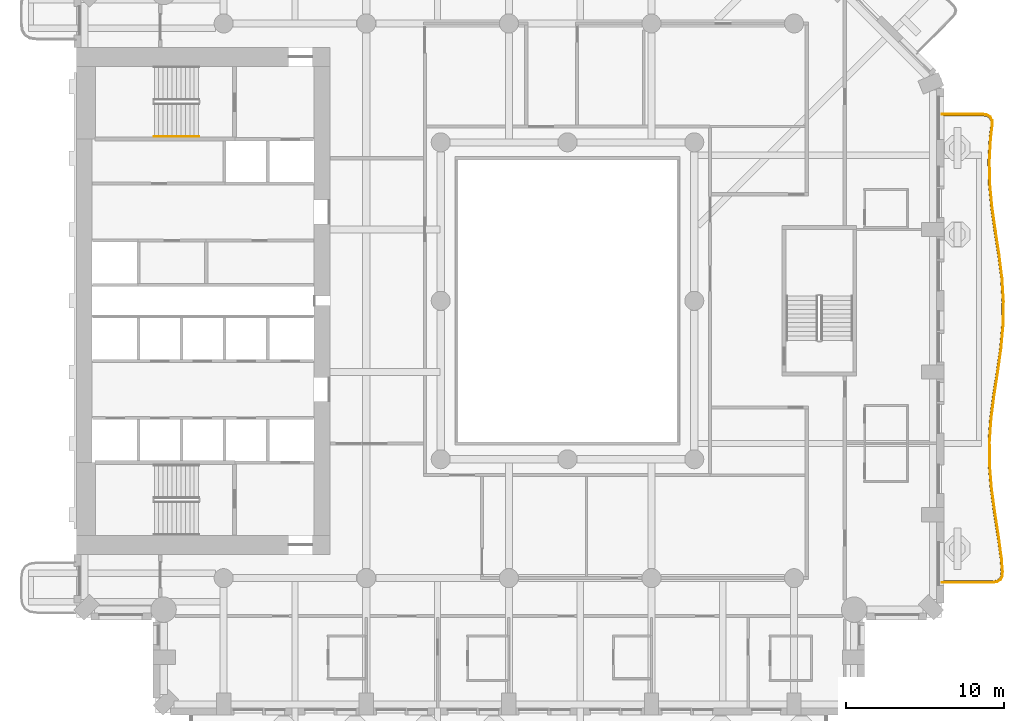
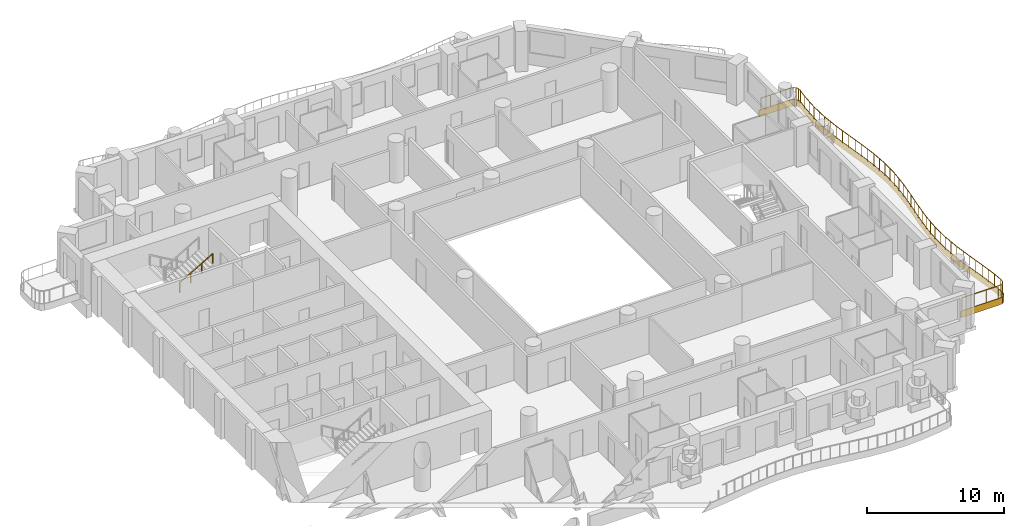
# One storey, part 15 of 19: 2 railings, 1 covering.
"""IFC4 building model written with IfcOpenShell, lengths in metres."""

from ifc_helpers import new_model, si_unit, direction, frame, origin, origin_2d, place, context, subcontext, project, spatial, polyline, rectangle, outline, extrude, material, layer, layer_set, type_object, element, save


model = new_model("IFC4")

# Units and contexts
model_context = context("Model", 3, precision=1e-05, world=origin(), true_north=direction((0.0, 1.0)))
body_context = subcontext(model_context, "Body", "Model", "MODEL_VIEW")
ifc_project = project(units=[si_unit("LENGTHUNIT", "METRE"), si_unit("AREAUNIT", "SQUARE_METRE"), si_unit("VOLUMEUNIT", "CUBIC_METRE"), si_unit("PLANEANGLEUNIT", "RADIAN"), si_unit("MASSUNIT", "GRAM", prefix="KILO")], contexts=[model_context])

# Site, building, storey
site_placement = place(None, origin())
site = spatial("IfcSite", under=ifc_project, at=site_placement, CompositionType="ELEMENT")
building_placement = place(site_placement, origin())
building = spatial("IfcBuilding", under=site, at=building_placement, Name="Cypress Arch Tower", CompositionType="ELEMENT")
storey_placement = place(building_placement, frame((0.0, 0.0, 98.699951171875)))
storey = spatial("IfcBuildingStorey", under=building, at=storey_placement, Name="L19", CompositionType="ELEMENT", Elevation=98.699951171875)

# Covering
ifc_material_1 = material(Name="White powder-coated aluminium fascia", Category="aluminium")
ifc_layer = layer(ifc_material_1, 0.050048828125)
ifc_layer_set = layer_set([ifc_layer], Name="Balcony fascia BF50")
covering_type = type_object("IfcCoveringType", Name="Balcony fascia BF50", PredefinedType="CLADDING", material=ifc_layer_set)
covering_placement = place(storey_placement, frame((0.0, 0.0, -0.599853515625)))
element("IfcCovering", 1, at=covering_placement, inside=storey, type_object=covering_type, Name="Balcony fascia L19-A06", PredefinedType="CLADDING", context=body_context, shape_type="SweptSolid", body=[
    extrude(outline(polyline([(27.19482421875, 11.800048828125), (27.496826171875, 11.75634765625), (27.711669921875, 11.61865234375), (27.8232421875, 11.388671875), (27.83056640625, 11.083984375), (27.7333984375, 10.270751953125), (27.652587890625, 8.79931640625), (27.687255859375, 7.327880859375), (27.828857421875, 5.85595703125), (28.040771484375, 4.38232421875), (28.26806640625, 2.906982421875), (28.451904296875, 1.4296875), (28.54443359375, -0.048828125), (28.521484375, -1.527587890625), (28.388916015625, -3.005615234375), (28.181396484375, -4.482421875), (27.952880859375, -5.95703125), (27.7626953125, -7.429931640625), (27.659912109375, -8.901611328125), (27.6708984375, -10.372802734375), (27.792724609375, -11.844482421875), (27.994384765625, -13.31787109375), (28.2236328125, -14.79296875), (28.420654296875, -16.269775390625), (28.483642578125, -17.0859375), (28.46337890625, -17.390380859375), (28.343505859375, -17.619140625), (28.12451171875, -17.756591796875), (27.822509765625, -17.800048828125), (24.60107421875, -17.800048828125), (24.60107421875, -17.75), (27.81884765625, -17.75), (28.10693359375, -17.70849609375), (28.305419921875, -17.583984375), (28.414306640625, -17.376708984375), (28.43359375, -17.086181640625), (28.370849609375, -16.27490234375), (28.174072265625, -14.800048828125), (27.945068359375, -13.324951171875), (27.7431640625, -11.85009765625), (27.620849609375, -10.375), (27.60986328125, -8.89990234375), (27.712890625, -7.425048828125), (27.903564453125, -5.949951171875), (28.132080078125, -4.47509765625), (28.33935546875, -3.0), (28.471435546875, -1.52490234375), (28.494384765625, -0.050048828125), (28.402099609375, 1.425048828125), (28.218505859375, 2.89990234375), (27.9912109375, 4.375), (27.779296875, 5.85009765625), (27.63720703125, 7.324951171875), (27.6025390625, 8.800048828125), (27.68359375, 10.27490234375), (27.780517578125, 11.086181640625), (27.7734375, 11.376708984375), (27.6728515625, 11.583984375), (27.478759765625, 11.70849609375), (27.19140625, 11.75), (24.60107421875, 11.75), (24.60107421875, 11.800048828125), (27.19482421875, 11.800048828125)])), origin(), (0.0, 0.0, 1.0), 0.599853515625),
])

# Railings
ifc_material_2 = material(Name="Powder-coated steel posts and rods, 100 mm clear between rods", Category="steel")
railing_type_1 = type_object("IfcRailingType", Name="Balcony guard GR1100", PredefinedType="GUARDRAIL", material=ifc_material_2)
railing_1_placement = place(storey_placement, frame((24.75, 11.699951171875, 0.0)))
element("IfcRailing", 2, at=railing_1_placement, inside=storey, type_object=railing_type_1, Name="Balcony guard L19-A06", PredefinedType="GUARDRAIL", context=body_context, shape_type="SweptSolid", body=[
    extrude(rectangle(XDim=0.050048828125, YDim=0.050048828125, at=origin_2d()), frame((0.0, 0.0, 1.0751953125), z_axis=(1.0, 0.0, 0.0), x_axis=(0.0, 1.0, 0.0)), (0.0, 0.0, 1.0), 2.437744140625),
    extrude(rectangle(XDim=0.050048828125, YDim=0.050048828125, at=origin_2d()), frame((2.437744140625, 0.0, 1.0751953125), z_axis=(0.989807470513, -0.142411977437, 0.0), x_axis=(0.142411977437, 0.989807470513, 0.0)), (0.0, 0.0, 1.0), 0.276123046875),
    extrude(rectangle(XDim=0.050048828125, YDim=0.050048828125, at=origin_2d()), frame((2.7109375, -0.039306640625, 1.0751953125), z_axis=(0.841602460972, -0.540097489058, 0.0), x_axis=(0.540097489058, 0.841602460972, 0.0)), (0.0, 0.0, 1.0), 0.20556640625),
    extrude(rectangle(XDim=0.050048828125, YDim=0.050048828125, at=origin_2d()), frame((2.884033203125, -0.150390625, 1.0751953125), z_axis=(0.435778172756, -0.900054100679, 0.0), x_axis=(0.900054100679, 0.435778172756, 0.0)), (0.0, 0.0, 1.0), 0.20556640625),
    extrude(rectangle(XDim=0.050048828125, YDim=0.050048828125, at=origin_2d()), frame((2.9736328125, -0.33544921875, 1.0751953125), z_axis=(0.024771157644, -0.999693147795, 0.0), x_axis=(0.999693147795, 0.024771157644, 0.0)), (0.0, 0.0, 1.0), 0.27587890625),
    extrude(rectangle(XDim=0.050048828125, YDim=0.050048828125, at=origin_2d()), frame((2.98046875, -0.611328125, 1.0751953125), z_axis=(-0.118613703942, -0.99294047618, 0.0), x_axis=(0.99294047618, -0.118613703942, 0.0)), (0.0, 0.0, 1.0), 0.815185546875),
    extrude(rectangle(XDim=0.050048828125, YDim=0.050048828125, at=origin_2d()), frame((2.8837890625, -1.420654296875, 1.0751953125), z_axis=(-0.054903850418, -0.998491646039, 0.0), x_axis=(0.998491646039, -0.054903850418, 0.0)), (0.0, 0.0, 1.0), 1.480712890625),
    extrude(rectangle(XDim=0.050048828125, YDim=0.050048828125, at=origin_2d()), frame((2.802490234375, -2.899169921875, 1.0751953125), z_axis=(0.023602470443, -0.999721422892, 0.0), x_axis=(0.999721422892, 0.023602470443, 0.0)), (0.0, 0.0, 1.0), 1.479248046875),
    extrude(rectangle(XDim=0.050048828125, YDim=0.050048828125, at=origin_2d()), frame((2.83740234375, -4.3779296875, 1.0751953125), z_axis=(0.095693608655, -0.99541083642, 0.0), x_axis=(0.99541083642, 0.095693608655, 0.0)), (0.0, 0.0, 1.0), 1.48486328125),
    extrude(rectangle(XDim=0.050048828125, YDim=0.050048828125, at=origin_2d()), frame((2.9794921875, -5.85595703125, 1.0751953125), z_axis=(0.142406674893, -0.98980823342, 0.0), x_axis=(0.98980823342, 0.142406674893, 0.0)), (0.0, 0.0, 1.0), 1.491455078125),
    extrude(rectangle(XDim=0.050048828125, YDim=0.050048828125, at=origin_2d()), frame((3.19189453125, -7.332275390625, 1.0751953125), z_axis=(0.152180145467, -0.988352772711, 0.0), x_axis=(0.988352772711, 0.152180145467, 0.0)), (0.0, 0.0, 1.0), 1.491943359375),
    extrude(rectangle(XDim=0.050048828125, YDim=0.050048828125, at=origin_2d()), frame((3.4189453125, -8.806884765625, 1.0751953125), z_axis=(0.12354877554, -0.992338500746, 0.0), x_axis=(0.992338500746, 0.12354877554, 0.0)), (0.0, 0.0, 1.0), 1.484130859375),
    extrude(rectangle(XDim=0.050048828125, YDim=0.050048828125, at=origin_2d()), frame((3.602294921875, -10.279541015625, 1.0751953125), z_axis=(0.062419517295, -0.998050000682, 0.0), x_axis=(0.998050000682, 0.062419517295, 0.0)), (0.0, 0.0, 1.0), 1.474609375),
    extrude(rectangle(XDim=0.050048828125, YDim=0.050048828125, at=origin_2d()), frame((3.6943359375, -11.751220703125, 1.0751953125), z_axis=(-0.015431285521, -0.999880930625, 0.0), x_axis=(0.999880930625, -0.015431285521, 0.0)), (0.0, 0.0, 1.0), 1.471435546875),
    extrude(rectangle(XDim=0.050048828125, YDim=0.050048828125, at=origin_2d()), frame((3.671630859375, -13.222412109375, 1.0751953125), z_axis=(-0.089373859467, -0.995998149217, 0.0), x_axis=(0.995998149217, -0.089373859467, 0.0)), (0.0, 0.0, 1.0), 1.477783203125),
    extrude(rectangle(XDim=0.050048828125, YDim=0.050048828125, at=origin_2d()), frame((3.53955078125, -14.6943359375, 1.0751953125), z_axis=(-0.139146721761, -0.990271775738, 0.0), x_axis=(0.990271775738, -0.139146721761, 0.0)), (0.0, 0.0, 1.0), 1.48779296875),
    extrude(rectangle(XDim=0.050048828125, YDim=0.050048828125, at=origin_2d()), frame((3.33251953125, -16.167724609375, 1.0751953125), z_axis=(-0.153089496752, -0.988212328391, 0.0), x_axis=(0.988212328391, -0.153089496752, 0.0)), (0.0, 0.0, 1.0), 1.49267578125),
    extrude(rectangle(XDim=0.050048828125, YDim=0.050048828125, at=origin_2d()), frame((3.10400390625, -17.642822265625, 1.0751953125), z_axis=(-0.128168953231, -0.991752347831, 0.0), x_axis=(0.991752347831, -0.128168953231, 0.0)), (0.0, 0.0, 1.0), 1.489501953125),
    extrude(rectangle(XDim=0.050048828125, YDim=0.050048828125, at=origin_2d()), frame((2.9130859375, -19.1201171875, 1.0751953125), z_axis=(-0.069689771314, -0.997568712307, 0.0), x_axis=(0.997568712307, -0.069689771314, 0.0)), (0.0, 0.0, 1.0), 1.48193359375),
    extrude(rectangle(XDim=0.050048828125, YDim=0.050048828125, at=origin_2d()), frame((2.809814453125, -20.598388671875, 1.0751953125), z_axis=(0.007429215475, -0.999972402998, 0.0), x_axis=(0.999972402998, 0.007429215475, 0.0)), (0.0, 0.0, 1.0), 1.478759765625),
    extrude(rectangle(XDim=0.050048828125, YDim=0.050048828125, at=origin_2d()), frame((2.82080078125, -22.0771484375, 1.0751953125), z_axis=(0.082623218828, -0.996580856584, 0.0), x_axis=(0.996580856584, 0.082623218828, 0.0)), (0.0, 0.0, 1.0), 1.4833984375),
    extrude(rectangle(XDim=0.050048828125, YDim=0.050048828125, at=origin_2d()), frame((2.943359375, -23.555419921875, 1.0751953125), z_axis=(0.135617511988, -0.990761268138, 0.0), x_axis=(0.990761268138, 0.135617511988, 0.0)), (0.0, 0.0, 1.0), 1.490478515625),
    extrude(rectangle(XDim=0.050048828125, YDim=0.050048828125, at=origin_2d()), frame((3.1455078125, -25.0322265625, 1.0751953125), z_axis=(0.153433717504, -0.988158941837, 0.0), x_axis=(0.988158941837, 0.153433717504, 0.0)), (0.0, 0.0, 1.0), 1.492431640625),
    extrude(rectangle(XDim=0.050048828125, YDim=0.050048828125, at=origin_2d()), frame((3.37451171875, -26.507080078125, 1.0751953125), z_axis=(0.132400435165, -0.991196309904, 0.0), x_axis=(0.991196309904, 0.132400435165, 0.0)), (0.0, 0.0, 1.0), 1.486328125),
    extrude(rectangle(XDim=0.050048828125, YDim=0.050048828125, at=origin_2d()), frame((3.5712890625, -27.980224609375, 1.0751953125), z_axis=(0.076696498885, -0.997054485502, 0.0), x_axis=(0.997054485502, 0.076696498885, 0.0)), (0.0, 0.0, 1.0), 0.80859375),
    extrude(rectangle(XDim=0.050048828125, YDim=0.050048828125, at=origin_2d()), frame((3.63330078125, -28.786376953125, 1.0751953125), z_axis=(-0.066109477186, -0.997812375663, 0.0), x_axis=(0.997812375663, -0.066109477186, 0.0)), (0.0, 0.0, 1.0), 0.27685546875),
    extrude(rectangle(XDim=0.050048828125, YDim=0.050048828125, at=origin_2d()), frame((3.614990234375, -29.062744140625, 1.0751953125), z_axis=(-0.464788353215, -0.885421812875, 0.0), x_axis=(0.885421812875, -0.464788353215, 0.0)), (0.0, 0.0, 1.0), 0.210205078125),
    extrude(rectangle(XDim=0.050048828125, YDim=0.050048828125, at=origin_2d()), frame((3.517333984375, -29.248779296875, 1.0751953125), z_axis=(-0.846756147172, -0.531981228265, 0.0), x_axis=(0.531981228265, -0.846756147172, 0.0)), (0.0, 0.0, 1.0), 0.210205078125),
    extrude(rectangle(XDim=0.050048828125, YDim=0.050048828125, at=origin_2d()), frame((3.33935546875, -29.360595703125, 1.0751953125), z_axis=(-0.989861078122, -0.142038889107, 0.0), x_axis=(0.142038889107, -0.989861078122, 0.0)), (0.0, 0.0, 1.0), 0.276611328125),
    extrude(rectangle(XDim=0.050048828125, YDim=0.050048828125, at=origin_2d()), frame((3.0654296875, -29.39990234375, 1.0751953125), z_axis=(-1.0, 0.0, 0.0), x_axis=(0.0, -1.0, 0.0)), (0.0, 0.0, 1.0), 3.0654296875),
    extrude(rectangle(XDim=0.0400390625, YDim=0.0400390625, at=origin_2d()), origin(), (0.0, 0.0, 1.0), 1.050048828125),
    extrude(rectangle(XDim=0.0400390625, YDim=0.0400390625, at=origin_2d()), frame((0.8125, 0.0, 0.0)), (0.0, 0.0, 1.0), 1.050048828125),
    extrude(rectangle(XDim=0.0400390625, YDim=0.0400390625, at=origin_2d()), frame((1.625244140625, 0.0, 0.0)), (0.0, 0.0, 1.0), 1.050048828125),
    extrude(rectangle(XDim=0.0400390625, YDim=0.0400390625, at=origin_2d()), frame((2.437744140625, 0.0, 0.0)), (0.0, 0.0, 1.0), 1.050048828125),
    extrude(rectangle(XDim=0.0400390625, YDim=0.0400390625, at=origin_2d()), frame((2.7109375, -0.039306640625, 0.0)), (0.0, 0.0, 1.0), 1.050048828125),
    extrude(rectangle(XDim=0.0400390625, YDim=0.0400390625, at=origin_2d()), frame((2.884033203125, -0.150390625, 0.0)), (0.0, 0.0, 1.0), 1.050048828125),
    extrude(rectangle(XDim=0.0400390625, YDim=0.0400390625, at=origin_2d()), frame((2.9736328125, -0.33544921875, 0.0)), (0.0, 0.0, 1.0), 1.050048828125),
    extrude(rectangle(XDim=0.0400390625, YDim=0.0400390625, at=origin_2d()), frame((2.98046875, -0.611328125, 0.0)), (0.0, 0.0, 1.0), 1.050048828125),
    extrude(rectangle(XDim=0.0400390625, YDim=0.0400390625, at=origin_2d()), frame((2.8837890625, -1.420654296875, 0.0)), (0.0, 0.0, 1.0), 1.050048828125),
    extrude(rectangle(XDim=0.0400390625, YDim=0.0400390625, at=origin_2d()), frame((2.84326171875, -2.159912109375, 0.0)), (0.0, 0.0, 1.0), 1.050048828125),
    extrude(rectangle(XDim=0.0400390625, YDim=0.0400390625, at=origin_2d()), frame((2.802490234375, -2.899169921875, 0.0)), (0.0, 0.0, 1.0), 1.050048828125),
    extrude(rectangle(XDim=0.0400390625, YDim=0.0400390625, at=origin_2d()), frame((2.81982421875, -3.638671875, 0.0)), (0.0, 0.0, 1.0), 1.050048828125),
    extrude(rectangle(XDim=0.0400390625, YDim=0.0400390625, at=origin_2d()), frame((2.83740234375, -4.3779296875, 0.0)), (0.0, 0.0, 1.0), 1.050048828125),
    extrude(rectangle(XDim=0.0400390625, YDim=0.0400390625, at=origin_2d()), frame((2.908447265625, -5.116943359375, 0.0)), (0.0, 0.0, 1.0), 1.050048828125),
    extrude(rectangle(XDim=0.0400390625, YDim=0.0400390625, at=origin_2d()), frame((2.9794921875, -5.85595703125, 0.0)), (0.0, 0.0, 1.0), 1.050048828125),
    extrude(rectangle(XDim=0.0400390625, YDim=0.0400390625, at=origin_2d()), frame((3.085693359375, -6.59423828125, 0.0)), (0.0, 0.0, 1.0), 1.050048828125),
    extrude(rectangle(XDim=0.0400390625, YDim=0.0400390625, at=origin_2d()), frame((3.19189453125, -7.332275390625, 0.0)), (0.0, 0.0, 1.0), 1.050048828125),
    extrude(rectangle(XDim=0.0400390625, YDim=0.0400390625, at=origin_2d()), frame((3.305419921875, -8.069580078125, 0.0)), (0.0, 0.0, 1.0), 1.050048828125),
    extrude(rectangle(XDim=0.0400390625, YDim=0.0400390625, at=origin_2d()), frame((3.4189453125, -8.806884765625, 0.0)), (0.0, 0.0, 1.0), 1.050048828125),
    extrude(rectangle(XDim=0.0400390625, YDim=0.0400390625, at=origin_2d()), frame((3.5107421875, -9.543212890625, 0.0)), (0.0, 0.0, 1.0), 1.050048828125),
    extrude(rectangle(XDim=0.0400390625, YDim=0.0400390625, at=origin_2d()), frame((3.602294921875, -10.279541015625, 0.0)), (0.0, 0.0, 1.0), 1.050048828125),
    extrude(rectangle(XDim=0.0400390625, YDim=0.0400390625, at=origin_2d()), frame((3.6484375, -11.015380859375, 0.0)), (0.0, 0.0, 1.0), 1.050048828125),
    extrude(rectangle(XDim=0.0400390625, YDim=0.0400390625, at=origin_2d()), frame((3.6943359375, -11.751220703125, 0.0)), (0.0, 0.0, 1.0), 1.050048828125),
    extrude(rectangle(XDim=0.0400390625, YDim=0.0400390625, at=origin_2d()), frame((3.68310546875, -12.48681640625, 0.0)), (0.0, 0.0, 1.0), 1.050048828125),
    extrude(rectangle(XDim=0.0400390625, YDim=0.0400390625, at=origin_2d()), frame((3.671630859375, -13.222412109375, 0.0)), (0.0, 0.0, 1.0), 1.050048828125),
    extrude(rectangle(XDim=0.0400390625, YDim=0.0400390625, at=origin_2d()), frame((3.60546875, -13.95849609375, 0.0)), (0.0, 0.0, 1.0), 1.050048828125),
    extrude(rectangle(XDim=0.0400390625, YDim=0.0400390625, at=origin_2d()), frame((3.53955078125, -14.6943359375, 0.0)), (0.0, 0.0, 1.0), 1.050048828125),
    extrude(rectangle(XDim=0.0400390625, YDim=0.0400390625, at=origin_2d()), frame((3.43603515625, -15.43115234375, 0.0)), (0.0, 0.0, 1.0), 1.050048828125),
    extrude(rectangle(XDim=0.0400390625, YDim=0.0400390625, at=origin_2d()), frame((3.33251953125, -16.167724609375, 0.0)), (0.0, 0.0, 1.0), 1.050048828125),
    extrude(rectangle(XDim=0.0400390625, YDim=0.0400390625, at=origin_2d()), frame((3.21826171875, -16.9052734375, 0.0)), (0.0, 0.0, 1.0), 1.050048828125),
    extrude(rectangle(XDim=0.0400390625, YDim=0.0400390625, at=origin_2d()), frame((3.10400390625, -17.642822265625, 0.0)), (0.0, 0.0, 1.0), 1.050048828125),
    extrude(rectangle(XDim=0.0400390625, YDim=0.0400390625, at=origin_2d()), frame((3.008544921875, -18.38134765625, 0.0)), (0.0, 0.0, 1.0), 1.050048828125),
    extrude(rectangle(XDim=0.0400390625, YDim=0.0400390625, at=origin_2d()), frame((2.9130859375, -19.1201171875, 0.0)), (0.0, 0.0, 1.0), 1.050048828125),
    extrude(rectangle(XDim=0.0400390625, YDim=0.0400390625, at=origin_2d()), frame((2.861328125, -19.859375, 0.0)), (0.0, 0.0, 1.0), 1.050048828125),
    extrude(rectangle(XDim=0.0400390625, YDim=0.0400390625, at=origin_2d()), frame((2.809814453125, -20.598388671875, 0.0)), (0.0, 0.0, 1.0), 1.050048828125),
    extrude(rectangle(XDim=0.0400390625, YDim=0.0400390625, at=origin_2d()), frame((2.8154296875, -21.337890625, 0.0)), (0.0, 0.0, 1.0), 1.050048828125),
    extrude(rectangle(XDim=0.0400390625, YDim=0.0400390625, at=origin_2d()), frame((2.82080078125, -22.0771484375, 0.0)), (0.0, 0.0, 1.0), 1.050048828125),
    extrude(rectangle(XDim=0.0400390625, YDim=0.0400390625, at=origin_2d()), frame((2.882080078125, -22.81640625, 0.0)), (0.0, 0.0, 1.0), 1.050048828125),
    extrude(rectangle(XDim=0.0400390625, YDim=0.0400390625, at=origin_2d()), frame((2.943359375, -23.555419921875, 0.0)), (0.0, 0.0, 1.0), 1.050048828125),
    extrude(rectangle(XDim=0.0400390625, YDim=0.0400390625, at=origin_2d()), frame((3.04443359375, -24.2939453125, 0.0)), (0.0, 0.0, 1.0), 1.050048828125),
    extrude(rectangle(XDim=0.0400390625, YDim=0.0400390625, at=origin_2d()), frame((3.1455078125, -25.0322265625, 0.0)), (0.0, 0.0, 1.0), 1.050048828125),
    extrude(rectangle(XDim=0.0400390625, YDim=0.0400390625, at=origin_2d()), frame((3.260009765625, -25.76953125, 0.0)), (0.0, 0.0, 1.0), 1.050048828125),
    extrude(rectangle(XDim=0.0400390625, YDim=0.0400390625, at=origin_2d()), frame((3.37451171875, -26.507080078125, 0.0)), (0.0, 0.0, 1.0), 1.050048828125),
    extrude(rectangle(XDim=0.0400390625, YDim=0.0400390625, at=origin_2d()), frame((3.472900390625, -27.24365234375, 0.0)), (0.0, 0.0, 1.0), 1.050048828125),
    extrude(rectangle(XDim=0.0400390625, YDim=0.0400390625, at=origin_2d()), frame((3.5712890625, -27.980224609375, 0.0)), (0.0, 0.0, 1.0), 1.050048828125),
    extrude(rectangle(XDim=0.0400390625, YDim=0.0400390625, at=origin_2d()), frame((3.63330078125, -28.786376953125, 0.0)), (0.0, 0.0, 1.0), 1.050048828125),
    extrude(rectangle(XDim=0.0400390625, YDim=0.0400390625, at=origin_2d()), frame((3.614990234375, -29.062744140625, 0.0)), (0.0, 0.0, 1.0), 1.050048828125),
    extrude(rectangle(XDim=0.0400390625, YDim=0.0400390625, at=origin_2d()), frame((3.517333984375, -29.248779296875, 0.0)), (0.0, 0.0, 1.0), 1.050048828125),
    extrude(rectangle(XDim=0.0400390625, YDim=0.0400390625, at=origin_2d()), frame((3.33935546875, -29.360595703125, 0.0)), (0.0, 0.0, 1.0), 1.050048828125),
    extrude(rectangle(XDim=0.0400390625, YDim=0.0400390625, at=origin_2d()), frame((3.0654296875, -29.39990234375, 0.0)), (0.0, 0.0, 1.0), 1.050048828125),
    extrude(rectangle(XDim=0.0400390625, YDim=0.0400390625, at=origin_2d()), frame((2.043701171875, -29.39990234375, 0.0)), (0.0, 0.0, 1.0), 1.050048828125),
    extrude(rectangle(XDim=0.0400390625, YDim=0.0400390625, at=origin_2d()), frame((1.021728515625, -29.39990234375, 0.0)), (0.0, 0.0, 1.0), 1.050048828125),
    extrude(rectangle(XDim=0.0400390625, YDim=0.0400390625, at=origin_2d()), frame((0.0, -29.39990234375, 0.0)), (0.0, 0.0, 1.0), 1.050048828125),
])
ifc_material_3 = material(Name="Black powder-coated steel square bar 48 mm", Category="steel")
railing_type_2 = type_object("IfcRailingType", Name="Stair handrail HR1", PredefinedType="HANDRAIL", material=ifc_material_3)
railing_2_placement = place(storey_placement, frame((-25.074951171875, 10.375, 1.963623046875)))
element("IfcRailing", 3, at=railing_2_placement, inside=storey, type_object=railing_type_2, Name="L19 B stair handrail 2", PredefinedType="HANDRAIL", context=body_context, shape_type="SweptSolid", body=[
    extrude(rectangle(XDim=0.048095703125, YDim=0.048095703125, at=origin_2d()), frame((0.0, 0.0, 0.8759765625), z_axis=(0.863360870873, 0.0, 0.504586966384), x_axis=(0.0, 1.0, 0.0)), (0.0, 0.0, 1.0), 3.2431640625),
    extrude(rectangle(XDim=0.0419921875, YDim=0.0419921875, at=origin_2d()), origin(), (0.0, 0.0, 1.0), 0.851806640625),
    extrude(rectangle(XDim=0.0419921875, YDim=0.0419921875, at=origin_2d()), frame((0.933349609375, 0.0, 0.54541015625)), (0.0, 0.0, 1.0), 0.851806640625),
    extrude(rectangle(XDim=0.0419921875, YDim=0.0419921875, at=origin_2d()), frame((1.86669921875, 0.0, 1.091064453125)), (0.0, 0.0, 1.0), 0.851806640625),
    extrude(rectangle(XDim=0.0419921875, YDim=0.0419921875, at=origin_2d()), frame((2.800048828125, 0.0, 1.636474609375)), (0.0, 0.0, 1.0), 0.851806640625),
])

save(model, "model.ifc")
